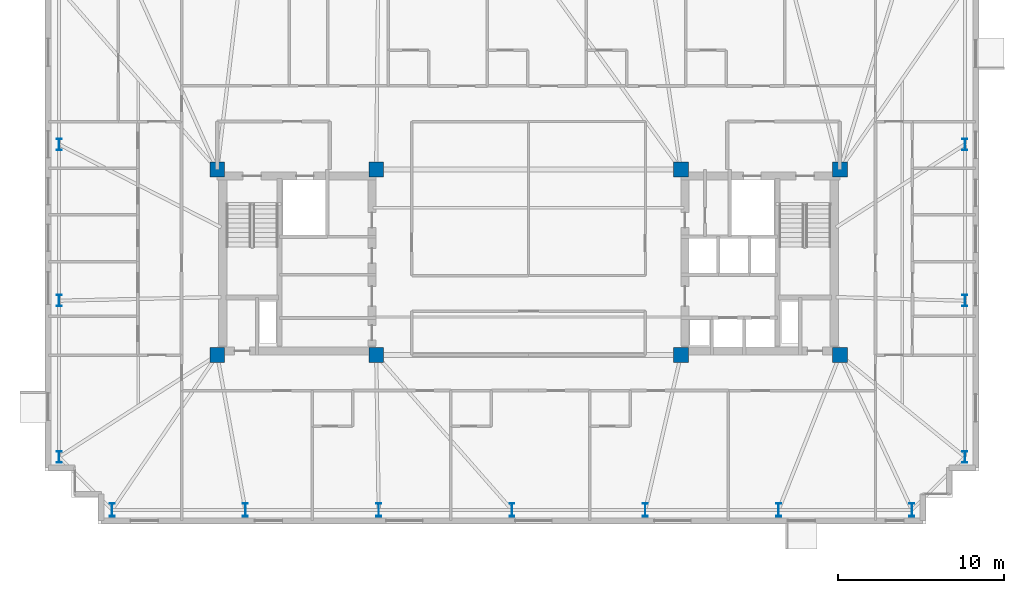
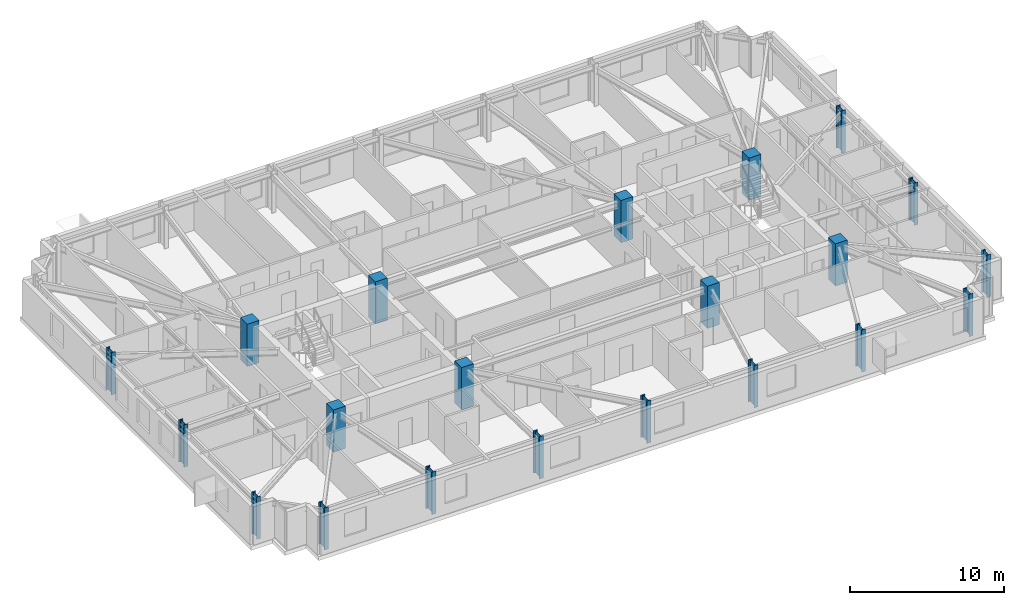
# One storey, part 1 of 18: 21 columns.
"""IFC4 building model written with IfcOpenShell, lengths in metres."""

from ifc_helpers import new_model, si_unit, direction, frame, origin, origin_2d, place, context, subcontext, project, spatial, rectangle, i_section, extrude, material, material_profile, profile_set, type_object, element, save


model = new_model("IFC4")

# Units and contexts
model_context = context("Model", 3, precision=1e-05, world=origin(), true_north=direction((0.0, 1.0)))
body_context = subcontext(model_context, "Body", "Model", "MODEL_VIEW")
ifc_project = project(units=[si_unit("LENGTHUNIT", "METRE"), si_unit("AREAUNIT", "SQUARE_METRE"), si_unit("VOLUMEUNIT", "CUBIC_METRE"), si_unit("PLANEANGLEUNIT", "RADIAN"), si_unit("MASSUNIT", "GRAM", prefix="KILO")], contexts=[model_context])

# Site, building, storey
site_placement = place(None, origin())
site = spatial("IfcSite", under=ifc_project, at=site_placement, CompositionType="ELEMENT")
building_placement = place(site_placement, origin())
building = spatial("IfcBuilding", under=site, at=building_placement, Name="Qobustan Lattice House", CompositionType="ELEMENT")
storey_placement = place(building_placement, frame((0.0, 0.0, 141.050048828125)))
storey = spatial("IfcBuildingStorey", under=building, at=storey_placement, Name="L39", CompositionType="ELEMENT", Elevation=141.050048828125)

# Columns
ifc_material_1 = material(Name="Concrete C50/60", Category="concrete")
ifc_material_profile_1 = material_profile(ifc_material_1, rectangle(XDim=0.89990234375, YDim=0.89990234375, at=origin_2d()), Name="RC900x900")
ifc_profile_set_1 = profile_set([ifc_material_profile_1], Name="Concrete C50/60")
column_type_1 = type_object("IfcColumnType", Name="COL-RC-900", PredefinedType="COLUMN", material=ifc_profile_set_1)
for number, where, z_axis, x_axis, name in (
    (1, (-18.800048828125, -5.60009765625, 0.0), (0.0, 0.0, 1.0), (1.0, 0.0, 0.0), "L39 core mega-column CW-SW"),
    (2, (-18.800048828125, 5.60009765625, 0.0), (0.0, 0.0, 1.0), (1.0, 0.0, 0.0), "L39 core mega-column CW-NW"),
    (3, (-9.199951171875, -5.60009765625, 0.0), (0.0, 0.0, 1.0), (1.0, 0.0, 0.0), "L39 core mega-column CW-SE"),
    (4, (-9.199951171875, 5.60009765625, 0.0), (0.0, 0.0, 1.0), (1.0, 0.0, 0.0), "L39 core mega-column CW-NE"),
    (5, (9.199951171875, -5.60009765625, 0.0), (0.0, 0.0, 1.0), (1.0, 0.0, 0.0), "L39 core mega-column CE-SW"),
    (6, (9.199951171875, 5.60009765625, 0.0), (0.0, 0.0, 1.0), (1.0, 0.0, 0.0), "L39 core mega-column CE-NW"),
    (7, (18.800048828125, -5.60009765625, 0.0), (0.0, 0.0, 1.0), (1.0, 0.0, 0.0), "L39 core mega-column CE-SE"),
    (8, (18.800048828125, 5.60009765625, 0.0), (0.0, 0.0, 1.0), (1.0, 0.0, 0.0), "L39 core mega-column CE-NE"),
):
    element("IfcColumn", number, at=place(storey_placement, frame(where, z_axis=z_axis, x_axis=x_axis)), inside=storey, type_object=column_type_1, Name=name, PredefinedType="COLUMN", context=body_context, shape_type="SweptSolid", body=[
        extrude(rectangle(XDim=0.89990234375, YDim=0.89990234375, at=origin_2d()), origin(), (0.0, 0.0, 1.0), 3.349853515625),
    ])
ifc_material_2 = material(Name="Steel S355", Category="steel")
ifc_material_profile_2 = material_profile(ifc_material_2, i_section(OverallWidth=0.300048828125, OverallDepth=0.699951171875, WebThickness=0.01708984375, FlangeThickness=0.031982421875, FilletRadius=0.027099609375, at=origin_2d()), Name="HEB700")
ifc_profile_set_2 = profile_set([ifc_material_profile_2], Name="Steel S355")
column_type_2 = type_object("IfcColumnType", Name="COL-ST-HEB700", PredefinedType="COLUMN", material=ifc_profile_set_2)
for number, where, z_axis, x_axis, name in (
    (9, (26.35009765625, -11.75, 0.0), (0.0, 0.0, 1.0), (1.0, 0.0, 0.0), "L39 B3 perimeter column E1"),
    (10, (26.35009765625, -2.316650390625, 0.0), (0.0, 0.0, 1.0), (1.0, 0.0, 0.0), "L39 B3 perimeter column E2"),
    (11, (26.35009765625, 7.11669921875, 0.0), (0.0, 0.0, 1.0), (1.0, 0.0, 0.0), "L39 B3 perimeter column E3"),
    (12, (-28.35009765625, 7.11669921875, 0.0), (0.0, 0.0, 1.0), (1.0, 0.0, 0.0), "L39 B3 perimeter column W2"),
    (13, (-28.35009765625, -2.316650390625, 0.0), (0.0, 0.0, 1.0), (1.0, 0.0, 0.0), "L39 B3 perimeter column W3"),
    (14, (-28.35009765625, -11.75, 0.0), (0.0, 0.0, 1.0), (1.0, 0.0, 0.0), "L39 B3 perimeter column W4"),
):
    element("IfcColumn", number, at=place(storey_placement, frame(where, z_axis=z_axis, x_axis=x_axis)), inside=storey, type_object=column_type_2, Name=name, PredefinedType="COLUMN", context=body_context, shape_type="SweptSolid", body=[
        extrude(i_section(OverallWidth=0.300048828125, OverallDepth=0.699951171875, WebThickness=0.01708984375, FlangeThickness=0.031982421875, FilletRadius=0.027099609375, at=origin_2d()), origin(), (0.0, 0.0, 1.0), 3.349853515625),
    ])
ifc_material_3 = material(Name="Steel S355", Category="steel")
ifc_material_profile_3 = material_profile(ifc_material_3, i_section(OverallWidth=0.300048828125, OverallDepth=0.800048828125, WebThickness=0.017578125, FlangeThickness=0.032958984375, FilletRadius=0.030029296875, at=origin_2d()), Name="HEB800")
ifc_profile_set_3 = profile_set([ifc_material_profile_3], Name="Steel S355")
column_type_3 = type_object("IfcColumnType", Name="COL-ST-HEB800", PredefinedType="COLUMN", material=ifc_profile_set_3)
for number, where, z_axis, x_axis, name in (
    (15, (-25.14990234375, -14.949951171875, 0.0), (0.0, 0.0, 1.0), (1.0, 0.0, 0.0), "L39 B3 perimeter column S1"),
    (16, (-17.10009765625, -14.949951171875, 0.0), (0.0, 0.0, 1.0), (1.0, 0.0, 0.0), "L39 B3 perimeter column S2"),
    (17, (-9.050048828125, -14.949951171875, 0.0), (0.0, 0.0, 1.0), (1.0, 0.0, 0.0), "L39 B3 perimeter column S3"),
    (18, (-1.0, -14.949951171875, 0.0), (0.0, 0.0, 1.0), (1.0, 0.0, 0.0), "L39 B3 perimeter column S4"),
    (19, (7.050048828125, -14.949951171875, 0.0), (0.0, 0.0, 1.0), (1.0, 0.0, 0.0), "L39 B3 perimeter column S5"),
    (20, (15.10009765625, -14.949951171875, 0.0), (0.0, 0.0, 1.0), (1.0, 0.0, 0.0), "L39 B3 perimeter column S6"),
    (21, (23.14990234375, -14.949951171875, 0.0), (0.0, 0.0, 1.0), (1.0, 0.0, 0.0), "L39 B3 perimeter column S7"),
):
    element("IfcColumn", number, at=place(storey_placement, frame(where, z_axis=z_axis, x_axis=x_axis)), inside=storey, type_object=column_type_3, Name=name, PredefinedType="COLUMN", context=body_context, shape_type="SweptSolid", body=[
        extrude(i_section(OverallWidth=0.300048828125, OverallDepth=0.800048828125, WebThickness=0.017578125, FlangeThickness=0.032958984375, FilletRadius=0.030029296875, at=origin_2d()), origin(), (0.0, 0.0, 1.0), 3.349853515625),
    ])

save(model, "model.ifc")
